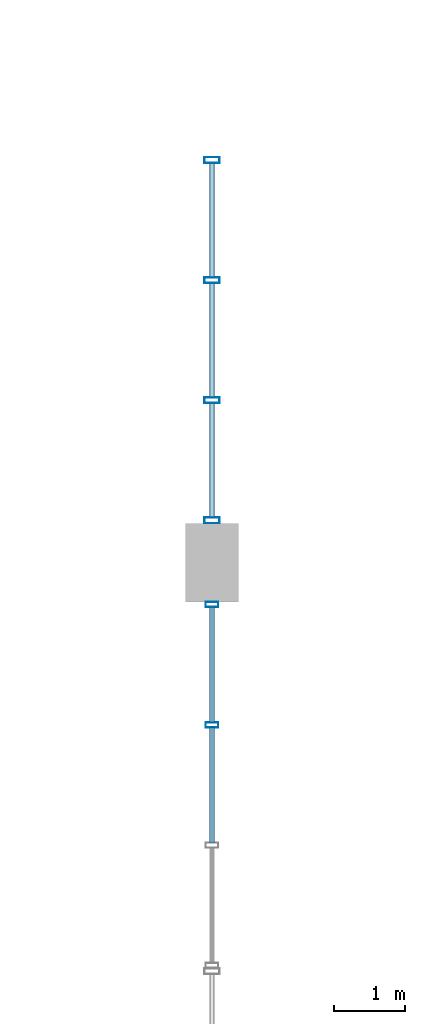
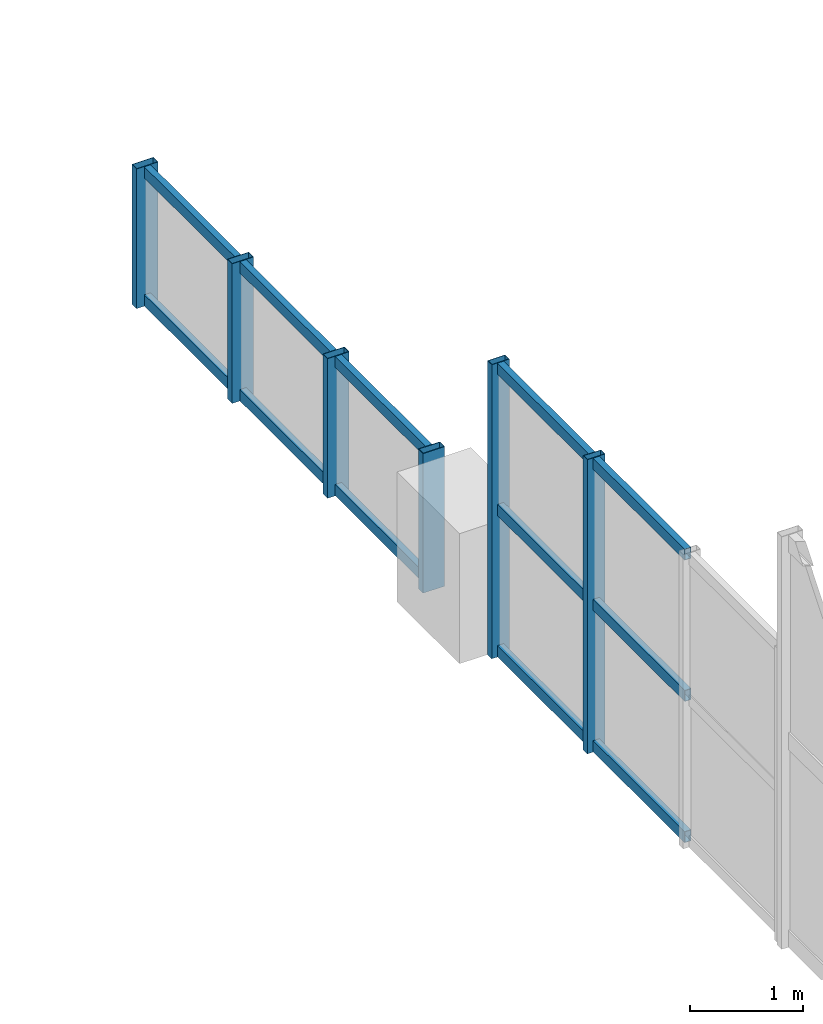
# One storey, part 14 of 48: 18 members, 2 elements without a shape of their own.
"""IFC4 building model written with IfcOpenShell, lengths in metres."""

import ifcopenshell
import ifcopenshell.guid

model = None  # the IFC model being written
_history = None  # IfcOwnerHistory: only IFC2X3 demands one
_inside = {}  # id of a spatial element -> (the spatial element, [elements in it])
_under = {}  # id of a project, library or spatial element -> (it, [spatial elements below it])
_declared = {}  # id of a project -> (the project, [libraries it declares])
_typed = {}  # id of a type object -> (the type object, [elements of that type])
_made_of = {}  # id of a material, layer set ... -> (it, [elements and type objects made of it])


def new_model(schema):
    """Start an empty IFC model of exactly this schema.

    Asked for "IFC4X3", IfcOpenShell would pick the latest addendum, in which some entities
    have other attributes; the version numbers below select the first issue.
    IFC2X3 requires an IfcOwnerHistory on every rooted entity: one is made here for all.
    """
    global model, _history
    if schema == "IFC4X3":
        model = ifcopenshell.file(schema_version=(4, 3, 0, 0))
    else:
        model = ifcopenshell.file(schema=schema)
    _inside.clear()
    _under.clear()
    _declared.clear()
    _typed.clear()
    _made_of.clear()
    _history = None
    if model.schema == "IFC2X3":
        org = make("IfcOrganization", Name="unknown")
        user = make(
            "IfcPersonAndOrganization",
            ThePerson=make("IfcPerson", FamilyName="unknown"),
            TheOrganization=org,
        )
        app = make(
            "IfcApplication",
            ApplicationDeveloper=org,
            Version="unknown",
            ApplicationFullName="unknown",
            ApplicationIdentifier="unknown",
        )
        _history = make(
            "IfcOwnerHistory",
            OwningUser=user,
            OwningApplication=app,
            ChangeAction="ADDED",
            CreationDate=0,
        )
    return model


def make(cls, **values):
    """One entity of the class cls with the attributes given. An attribute that is None is left unset."""
    return model.create_entity(
        cls, **{name: value for name, value in values.items() if value is not None}
    )


def rooted(cls, **values):
    """An entity with a GlobalId (a new one), such as an element, a storey or a relation."""
    return make(cls, GlobalId=ifcopenshell.guid.new(), OwnerHistory=_history, **values)


def si_unit(unit_type, name, prefix=None):
    """IfcSIUnit, for example si_unit("LENGTHUNIT", "METRE", prefix="MILLI")."""
    return make("IfcSIUnit", UnitType=unit_type, Prefix=prefix, Name=name)


def assignment(units):
    """IfcUnitAssignment: the units of a project."""
    return None if units is None else make("IfcUnitAssignment", Units=units)


def point(xyz):
    """IfcCartesianPoint."""
    return None if xyz is None else make("IfcCartesianPoint", Coordinates=xyz)


def direction(xyz):
    """IfcDirection."""
    return None if xyz is None else make("IfcDirection", DirectionRatios=xyz)


def frame(location, z_axis=None, x_axis=None):
    """IfcAxis2Placement3D, a coordinate frame: its origin and axes. An axis left out is left unset."""
    return make(
        "IfcAxis2Placement3D",
        Location=point(location),
        Axis=direction(z_axis),
        RefDirection=direction(x_axis),
    )


def frame_2d(location, x_axis=None):
    """IfcAxis2Placement2D, a coordinate frame in the plane: its origin and x axis."""
    return make(
        "IfcAxis2Placement2D", Location=point(location), RefDirection=direction(x_axis)
    )


def origin():
    """The frame at (0, 0, 0) with its axes left unset."""
    return frame((0.0, 0.0, 0.0))


def origin_2d():
    """The frame at (0, 0) in the plane with its x axis left unset."""
    return frame_2d((0.0, 0.0))


def place(relative_to, where):
    """IfcLocalPlacement: puts the frame where relative to a parent placement (None: the world)."""
    return make(
        "IfcLocalPlacement", PlacementRelTo=relative_to, RelativePlacement=where
    )


def context(
    kind, dimensions, precision=None, world=None, true_north=None, identifier=None
):
    """IfcGeometricRepresentationContext, for example the 3D "Model" context."""
    return make(
        "IfcGeometricRepresentationContext",
        ContextIdentifier=identifier,
        ContextType=kind,
        CoordinateSpaceDimension=dimensions,
        Precision=precision,
        WorldCoordinateSystem=world,
        TrueNorth=true_north,
    )


def subcontext(parent, identifier, kind, view, scale=None):
    """IfcGeometricRepresentationSubContext, for example "Body" below "Model"."""
    return make(
        "IfcGeometricRepresentationSubContext",
        ContextIdentifier=identifier,
        ContextType=kind,
        ParentContext=parent,
        TargetScale=scale,
        TargetView=view,
    )


def project(units=None, contexts=None):
    """IfcProject with its units and contexts."""
    return rooted(
        "IfcProject",
        Name="project",
        RepresentationContexts=contexts,
        UnitsInContext=assignment(units),
    )


def spatial(cls, under=None, at=None, **own):
    """A site, building, storey or space (cls), placed at a placement, below another one or the project."""
    s = rooted(cls, ObjectPlacement=at, **own)
    if under is not None:
        _under.setdefault(under.id(), (under, []))[1].append(s)
    return s


def profile(cls, at=None, kind="AREA", **sizes):
    """A parametric profile (cls). Its sizes go by their IFC names, for example OverallWidth=200.0."""
    return make(cls, ProfileType=kind, Position=at, **sizes)


def hollow_rectangle(**sizes):
    """IfcRectangleHollowProfileDef."""
    return profile("IfcRectangleHollowProfileDef", **sizes)


def extrude(swept, where, along, depth):
    """IfcExtrudedAreaSolid: the profile swept, set in the frame where, extruded along a direction by depth."""
    return make(
        "IfcExtrudedAreaSolid",
        SweptArea=swept,
        Position=where,
        ExtrudedDirection=direction(along),
        Depth=depth,
    )


def shape(context_of_items, identifier, shape_type, items):
    """IfcShapeRepresentation: the items that make up one representation, for example the "Body"."""
    return make(
        "IfcShapeRepresentation",
        ContextOfItems=context_of_items,
        RepresentationIdentifier=identifier,
        RepresentationType=shape_type,
        Items=items,
    )


def material(Name=None, Category=None):
    """IfcMaterial."""
    return make("IfcMaterial", Name=Name, Category=Category)


def layer(
    of_material, thickness, ventilated=None, Name=None, Category=None, Priority=None
):
    """IfcMaterialLayer: one layer of a wall or slab, of a material (None: an air gap)."""
    return make(
        "IfcMaterialLayer",
        Material=of_material,
        LayerThickness=thickness,
        IsVentilated=ventilated,
        Name=Name,
        Category=Category,
        Priority=Priority,
    )


def layer_set(layers, Name=None):
    """IfcMaterialLayerSet."""
    return make("IfcMaterialLayerSet", MaterialLayers=layers, LayerSetName=Name)


def material_profile(
    of_material, cross_section, Name=None, Category=None, Priority=None
):
    """IfcMaterialProfile: a cross section and its material."""
    return make(
        "IfcMaterialProfile",
        Name=Name,
        Material=of_material,
        Profile=cross_section,
        Priority=Priority,
        Category=Category,
    )


def profile_set(profiles, Name=None, composite=None):
    """IfcMaterialProfileSet."""
    return make(
        "IfcMaterialProfileSet",
        Name=Name,
        MaterialProfiles=profiles,
        CompositeProfile=composite,
    )


def made_of(thing, what):
    """Note that an element or type object is made of a material, layer set ...; save() writes the relation."""
    if what is not None:
        _made_of.setdefault(what.id(), (what, []))[1].append(thing)
    return thing


def type_object(cls, material=None, **own):
    """A type object (cls), such as IfcWallType, which elements share."""
    return made_of(rooted(cls, **own), material)


def element(
    cls,
    number,
    at=None,
    inside=None,
    cuts=None,
    type_object=None,
    material=None,
    context=None,
    identifier="Body",
    shape_type=None,
    held_by="IfcProductDefinitionShape",
    body=None,
    shapes=None,
    **own,
):
    """One element of the class cls, such as IfcWall. Its Tag is "e" and its number.

    at: its placement. inside: the storey or other place that contains it. cuts: it is an
    opening in that element (IfcRelVoidsElement). A single representation is given by context,
    identifier, shape_type and body (its items); several are given by shapes. held_by: the class
    of the entity that holds the representations. save() writes the other relations.
    """
    e = rooted(cls, Tag="e%d" % number, ObjectPlacement=at, **own)
    if body is not None:
        shapes = [shape(context, identifier, shape_type, body)]
    if shapes is not None:
        e.Representation = make(held_by, Representations=shapes)
    if inside is not None:
        _inside.setdefault(inside.id(), (inside, []))[1].append(e)
    if cuts is not None:
        rooted(
            "IfcRelVoidsElement", RelatingBuildingElement=cuts, RelatedOpeningElement=e
        )
    if type_object is not None:
        _typed.setdefault(type_object.id(), (type_object, []))[1].append(e)
    return made_of(e, material)


def aggregate(whole, parts):
    """IfcRelAggregates: a whole, such as a stair, and the parts it consists of."""
    return rooted("IfcRelAggregates", RelatingObject=whole, RelatedObjects=parts)


def save(model, path):
    """Write the relations noted so far, then the file.

    IfcRelAggregates (storeys below a building ...), IfcRelContainedInSpatialStructure (elements
    in a storey), IfcRelDefinesByType, IfcRelAssociatesMaterial and IfcRelDeclares: one each for
    every whole, place, type object, material and project.
    """
    for whole, parts in _under.values():
        aggregate(whole, parts)
    for where, things in _inside.values():
        rooted(
            "IfcRelContainedInSpatialStructure",
            RelatedElements=things,
            RelatingStructure=where,
        )
    for kind, things in _typed.values():
        rooted("IfcRelDefinesByType", RelatedObjects=things, RelatingType=kind)
    for what, things in _made_of.values():
        rooted("IfcRelAssociatesMaterial", RelatedObjects=things, RelatingMaterial=what)
    for by, libraries in _declared.values():
        rooted("IfcRelDeclares", RelatingContext=by, RelatedDefinitions=libraries)
    model.write(path)


model = new_model("IFC4")

# Units and contexts
model_context = context("Model", 3, precision=1e-05, world=origin(), true_north=direction((0.0, 1.0)))
body_context = subcontext(model_context, "Body", "Model", "MODEL_VIEW")
ifc_project = project(units=[si_unit("LENGTHUNIT", "METRE"), si_unit("AREAUNIT", "SQUARE_METRE"), si_unit("VOLUMEUNIT", "CUBIC_METRE"), si_unit("PLANEANGLEUNIT", "RADIAN"), si_unit("MASSUNIT", "GRAM", prefix="KILO"), si_unit("POWERUNIT", "WATT"), si_unit("THERMODYNAMICTEMPERATUREUNIT", "KELVIN")], contexts=[model_context])

# Site, building, storey
site_placement = place(None, origin())
site = spatial("IfcSite", under=ifc_project, at=site_placement, CompositionType="ELEMENT")
building_placement = place(site_placement, origin())
building = spatial("IfcBuilding", under=site, at=building_placement, Name="Kelmbourne Parkland Aquatics Centre", CompositionType="ELEMENT")
storey_placement = place(building_placement, frame((0.0, 0.0, 14.699951171875)))
storey = spatial("IfcBuildingStorey", under=building, at=storey_placement, Name="L03", CompositionType="ELEMENT", Elevation=14.699951171875)

# Curtain wall, members
ifc_material = material(Name="Thermally broken anodised aluminium framing", Category="aluminium")
ifc_layer_1 = layer(ifc_material, 0.179931640625)
ifc_layer_set_1 = layer_set([ifc_layer_1], Name="Thermally broken anodised aluminium framing")
curtain_wall_type_1 = type_object("IfcCurtainWallType", Name="CW-12", PredefinedType="NOTDEFINED", material=ifc_layer_set_1)
curtain_wall_1_placement = place(storey_placement, origin())
curtain_wall_1 = element("IfcCurtainWall", 1, at=curtain_wall_1_placement, inside=storey, type_object=curtain_wall_type_1, Name="Wave-hall clerestory curtain wall CW-L03-036", PredefinedType="NOTDEFINED")
ifc_material_profile_1 = material_profile(ifc_material, hollow_rectangle(XDim=0.074951171875, YDim=0.179931640625, WallThickness=0.00439453125, at=origin_2d()), Name="CW-M 75x180")
ifc_profile_set_1 = profile_set([ifc_material_profile_1], Name="Thermally broken anodised aluminium framing")
member_type_1 = type_object("IfcMemberType", Name="MB-MUL-2", PredefinedType="MULLION", material=ifc_profile_set_1)
member_1_placement = place(storey_placement, frame((128.0, 32.719482421875, 0.0), z_axis=(0.0, 0.0, 1.0), x_axis=(0.0, 1.0, 0.0)))
member_1 = element("IfcMember", 2, at=member_1_placement, type_object=member_type_1, Name="CW-L03-036 mullion 2", PredefinedType="MULLION", context=body_context, shape_type="SweptSolid", body=[
    extrude(hollow_rectangle(XDim=0.074951171875, YDim=0.179931640625, WallThickness=0.00439453125, at=origin_2d()), origin(), (0.0, 0.0, 1.0), 3.17333984375),
])
member_2_placement = place(storey_placement, frame((128.0, 34.410400390625, 0.0), z_axis=(0.0, 0.0, 1.0), x_axis=(0.0, 1.0, 0.0)))
member_2 = element("IfcMember", 3, at=member_2_placement, type_object=member_type_1, Name="CW-L03-036 mullion 3", PredefinedType="MULLION", context=body_context, shape_type="SweptSolid", body=[
    extrude(hollow_rectangle(XDim=0.074951171875, YDim=0.179931640625, WallThickness=0.00439453125, at=origin_2d()), origin(), (0.0, 0.0, 1.0), 3.17333984375),
])

ifc_layer_2 = layer(ifc_material, 0.179931640625)
ifc_layer_set_2 = layer_set([ifc_layer_2], Name="Thermally broken anodised aluminium framing")
curtain_wall_type_2 = type_object("IfcCurtainWallType", Name="CW-18", PredefinedType="NOTDEFINED", material=ifc_layer_set_2)
curtain_wall_2_placement = place(storey_placement, origin())
curtain_wall_2 = element("IfcCurtainWall", 4, at=curtain_wall_2_placement, inside=storey, type_object=curtain_wall_type_2, Name="Wave-hall clerestory curtain wall CW-L03-042", PredefinedType="NOTDEFINED")
ifc_material_profile_2 = material_profile(ifc_material, hollow_rectangle(XDim=0.0849609375, YDim=0.219970703125, WallThickness=0.0048828125, at=origin_2d()), Name="CW-M 85x220")
ifc_profile_set_2 = profile_set([ifc_material_profile_2], Name="Thermally broken anodised aluminium framing")
member_type_2 = type_object("IfcMemberType", Name="MB-MUL-3", PredefinedType="MULLION", material=ifc_profile_set_2)
member_3_placement = place(storey_placement, frame((128.0, 35.594482421875, 0.0), z_axis=(0.0, 0.0, 1.0), x_axis=(0.0, 1.0, 0.0)))
member_3 = element("IfcMember", 5, at=member_3_placement, type_object=member_type_2, Name="CW-L03-042 mullion 0", PredefinedType="MULLION", context=body_context, shape_type="SweptSolid", body=[
    extrude(hollow_rectangle(XDim=0.0849609375, YDim=0.219970703125, WallThickness=0.0048828125, at=origin_2d()), origin(), (0.0, 0.0, 1.0), 1.506591796875),
])
member_4_placement = place(storey_placement, frame((128.0, 37.2822265625, 0.0), z_axis=(0.0, 0.0, 1.0), x_axis=(0.0, 1.0, 0.0)))
member_4 = element("IfcMember", 6, at=member_4_placement, type_object=member_type_2, Name="CW-L03-042 mullion 1", PredefinedType="MULLION", context=body_context, shape_type="SweptSolid", body=[
    extrude(hollow_rectangle(XDim=0.0849609375, YDim=0.219970703125, WallThickness=0.0048828125, at=origin_2d()), origin(), (0.0, 0.0, 1.0), 1.506591796875),
])
member_5_placement = place(storey_placement, frame((128.0, 38.9697265625, 0.0), z_axis=(0.0, 0.0, 1.0), x_axis=(0.0, 1.0, 0.0)))
member_5 = element("IfcMember", 7, at=member_5_placement, type_object=member_type_2, Name="CW-L03-042 mullion 2", PredefinedType="MULLION", context=body_context, shape_type="SweptSolid", body=[
    extrude(hollow_rectangle(XDim=0.0849609375, YDim=0.219970703125, WallThickness=0.0048828125, at=origin_2d()), origin(), (0.0, 0.0, 1.0), 1.506591796875),
])
member_6_placement = place(storey_placement, frame((128.0, 40.657470703125, 0.0), z_axis=(0.0, 0.0, 1.0), x_axis=(0.0, 1.0, 0.0)))
member_6 = element("IfcMember", 8, at=member_6_placement, type_object=member_type_2, Name="CW-L03-042 mullion 3", PredefinedType="MULLION", context=body_context, shape_type="SweptSolid", body=[
    extrude(hollow_rectangle(XDim=0.0849609375, YDim=0.219970703125, WallThickness=0.0048828125, at=origin_2d()), origin(), (0.0, 0.0, 1.0), 1.506591796875),
])

# Member
ifc_material_profile_3 = material_profile(ifc_material, hollow_rectangle(XDim=0.06494140625, YDim=0.1201171875, WallThickness=0.00341796875, at=origin_2d()), Name="CW-T 65x120")
ifc_profile_set_3 = profile_set([ifc_material_profile_3], Name="Thermally broken anodised aluminium framing")
member_type_3 = type_object("IfcMemberType", Name="MB-TRN-1", PredefinedType="USERDEFINED", material=ifc_profile_set_3)
member_7_placement = place(storey_placement, frame((128.0, 31.06201171875, 0.06298828125), z_axis=(0.0, 1.0, 0.0), x_axis=(-1.0, 0.0, 0.0)))
member_7 = element("IfcMember", 9, at=member_7_placement, type_object=member_type_3, Name="CW-L03-036 transom 0-1", ObjectType="TRANSOM", PredefinedType="USERDEFINED", context=body_context, shape_type="SweptSolid", body=[
    extrude(hollow_rectangle(XDim=0.06494140625, YDim=0.1201171875, WallThickness=0.00341796875, at=origin_2d()), origin(), (0.0, 0.0, 1.0), 1.6240234375),
])

member_8_placement = place(storey_placement, frame((128.0, 32.7529296875, 0.06298828125), z_axis=(0.0, 1.0, 0.0), x_axis=(-1.0, 0.0, 0.0)))
member_8 = element("IfcMember", 10, at=member_8_placement, type_object=member_type_3, Name="CW-L03-036 transom 0-2", ObjectType="TRANSOM", PredefinedType="USERDEFINED", context=body_context, shape_type="SweptSolid", body=[
    extrude(hollow_rectangle(XDim=0.06494140625, YDim=0.1201171875, WallThickness=0.00341796875, at=origin_2d()), origin(), (0.0, 0.0, 1.0), 1.6240234375),
])

member_9_placement = place(storey_placement, frame((128.0, 31.06201171875, 1.586669921875), z_axis=(0.0, 1.0, 0.0), x_axis=(-1.0, 0.0, 0.0)))
member_9 = element("IfcMember", 11, at=member_9_placement, type_object=member_type_3, Name="CW-L03-036 transom 1-1", ObjectType="TRANSOM", PredefinedType="USERDEFINED", context=body_context, shape_type="SweptSolid", body=[
    extrude(hollow_rectangle(XDim=0.06494140625, YDim=0.1201171875, WallThickness=0.00341796875, at=origin_2d()), origin(), (0.0, 0.0, 1.0), 1.6240234375),
])

member_10_placement = place(storey_placement, frame((128.0, 32.7529296875, 1.586669921875), z_axis=(0.0, 1.0, 0.0), x_axis=(-1.0, 0.0, 0.0)))
member_10 = element("IfcMember", 12, at=member_10_placement, type_object=member_type_3, Name="CW-L03-036 transom 1-2", ObjectType="TRANSOM", PredefinedType="USERDEFINED", context=body_context, shape_type="SweptSolid", body=[
    extrude(hollow_rectangle(XDim=0.06494140625, YDim=0.1201171875, WallThickness=0.00341796875, at=origin_2d()), origin(), (0.0, 0.0, 1.0), 1.6240234375),
])

member_11_placement = place(storey_placement, frame((128.0, 31.06201171875, 3.1103515625), z_axis=(0.0, 1.0, 0.0), x_axis=(-1.0, 0.0, 0.0)))
member_11 = element("IfcMember", 13, at=member_11_placement, type_object=member_type_3, Name="CW-L03-036 transom 2-1", ObjectType="TRANSOM", PredefinedType="USERDEFINED", context=body_context, shape_type="SweptSolid", body=[
    extrude(hollow_rectangle(XDim=0.06494140625, YDim=0.1201171875, WallThickness=0.00341796875, at=origin_2d()), origin(), (0.0, 0.0, 1.0), 1.6240234375),
])

member_12_placement = place(storey_placement, frame((128.0, 32.7529296875, 3.1103515625), z_axis=(0.0, 1.0, 0.0), x_axis=(-1.0, 0.0, 0.0)))
member_12 = element("IfcMember", 14, at=member_12_placement, type_object=member_type_3, Name="CW-L03-036 transom 2-2", ObjectType="TRANSOM", PredefinedType="USERDEFINED", context=body_context, shape_type="SweptSolid", body=[
    extrude(hollow_rectangle(XDim=0.06494140625, YDim=0.1201171875, WallThickness=0.00341796875, at=origin_2d()), origin(), (0.0, 0.0, 1.0), 1.6240234375),
])

aggregate(curtain_wall_1, [member_1, member_2, member_7, member_8, member_9, member_10, member_11, member_12])

member_13_placement = place(storey_placement, frame((128.0, 35.633056640625, 0.06298828125), z_axis=(0.0, 1.0, 0.0), x_axis=(-1.0, 0.0, 0.0)))
member_13 = element("IfcMember", 15, at=member_13_placement, type_object=member_type_3, Name="CW-L03-042 transom 0-0", ObjectType="TRANSOM", PredefinedType="USERDEFINED", context=body_context, shape_type="SweptSolid", body=[
    extrude(hollow_rectangle(XDim=0.06494140625, YDim=0.1201171875, WallThickness=0.00341796875, at=origin_2d()), origin(), (0.0, 0.0, 1.0), 1.610595703125),
])

member_14_placement = place(storey_placement, frame((128.0, 37.32080078125, 0.06298828125), z_axis=(0.0, 1.0, 0.0), x_axis=(-1.0, 0.0, 0.0)))
member_14 = element("IfcMember", 16, at=member_14_placement, type_object=member_type_3, Name="CW-L03-042 transom 0-1", ObjectType="TRANSOM", PredefinedType="USERDEFINED", context=body_context, shape_type="SweptSolid", body=[
    extrude(hollow_rectangle(XDim=0.06494140625, YDim=0.1201171875, WallThickness=0.00341796875, at=origin_2d()), origin(), (0.0, 0.0, 1.0), 1.610595703125),
])

member_15_placement = place(storey_placement, frame((128.0, 39.00830078125, 0.06298828125), z_axis=(0.0, 1.0, 0.0), x_axis=(-1.0, 0.0, 0.0)))
member_15 = element("IfcMember", 17, at=member_15_placement, type_object=member_type_3, Name="CW-L03-042 transom 0-2", ObjectType="TRANSOM", PredefinedType="USERDEFINED", context=body_context, shape_type="SweptSolid", body=[
    extrude(hollow_rectangle(XDim=0.06494140625, YDim=0.1201171875, WallThickness=0.00341796875, at=origin_2d()), origin(), (0.0, 0.0, 1.0), 1.610595703125),
])

member_16_placement = place(storey_placement, frame((128.0, 35.633056640625, 1.443603515625), z_axis=(0.0, 1.0, 0.0), x_axis=(-1.0, 0.0, 0.0)))
member_16 = element("IfcMember", 18, at=member_16_placement, type_object=member_type_3, Name="CW-L03-042 transom 1-0", ObjectType="TRANSOM", PredefinedType="USERDEFINED", context=body_context, shape_type="SweptSolid", body=[
    extrude(hollow_rectangle(XDim=0.06494140625, YDim=0.1201171875, WallThickness=0.00341796875, at=origin_2d()), origin(), (0.0, 0.0, 1.0), 1.610595703125),
])

member_17_placement = place(storey_placement, frame((128.0, 37.32080078125, 1.443603515625), z_axis=(0.0, 1.0, 0.0), x_axis=(-1.0, 0.0, 0.0)))
member_17 = element("IfcMember", 19, at=member_17_placement, type_object=member_type_3, Name="CW-L03-042 transom 1-1", ObjectType="TRANSOM", PredefinedType="USERDEFINED", context=body_context, shape_type="SweptSolid", body=[
    extrude(hollow_rectangle(XDim=0.06494140625, YDim=0.1201171875, WallThickness=0.00341796875, at=origin_2d()), origin(), (0.0, 0.0, 1.0), 1.610595703125),
])

member_18_placement = place(storey_placement, frame((128.0, 39.00830078125, 1.443603515625), z_axis=(0.0, 1.0, 0.0), x_axis=(-1.0, 0.0, 0.0)))
member_18 = element("IfcMember", 20, at=member_18_placement, type_object=member_type_3, Name="CW-L03-042 transom 1-2", ObjectType="TRANSOM", PredefinedType="USERDEFINED", context=body_context, shape_type="SweptSolid", body=[
    extrude(hollow_rectangle(XDim=0.06494140625, YDim=0.1201171875, WallThickness=0.00341796875, at=origin_2d()), origin(), (0.0, 0.0, 1.0), 1.610595703125),
])

aggregate(curtain_wall_2, [member_3, member_4, member_5, member_6, member_13, member_14, member_15, member_16, member_17, member_18])

save(model, "model.ifc")
